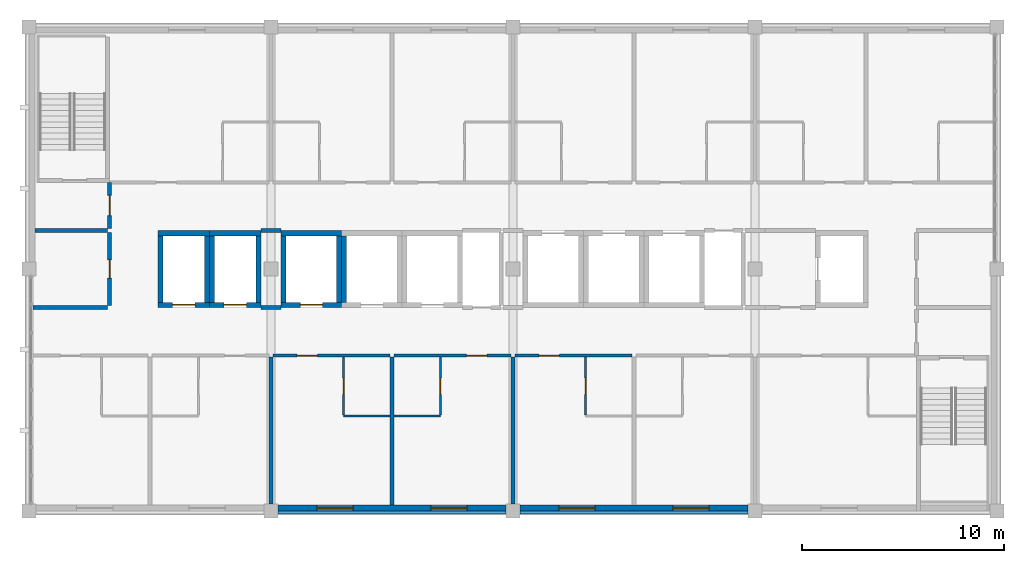
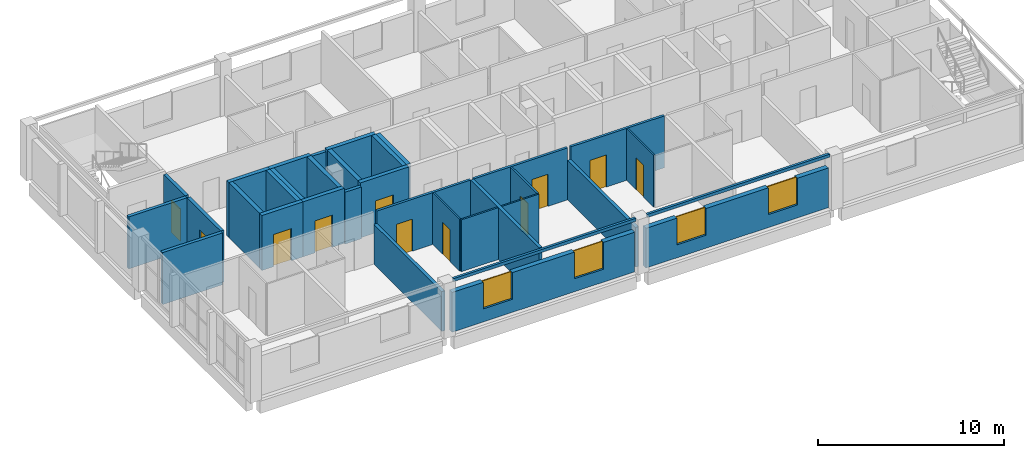
# One storey, part 6 of 11: 34 walls, 11 doors, 4 windows, 15 openings.
"""IFC4 building model written with IfcOpenShell, lengths in metres."""

from ifc_helpers import new_model, si_unit, direction, frame, frame_2d, origin, place, context, subcontext, project, spatial, rectangle, extrude, material, layer, layer_set, type_object, element, fill, save


model = new_model("IFC4")

# Units and contexts
model_context = context("Model", 3, precision=1e-05, world=origin(), true_north=direction((0.0, 1.0)))
body_context = subcontext(model_context, "Body", "Model", "MODEL_VIEW")
ifc_project = project(units=[si_unit("LENGTHUNIT", "METRE"), si_unit("AREAUNIT", "SQUARE_METRE"), si_unit("VOLUMEUNIT", "CUBIC_METRE"), si_unit("PLANEANGLEUNIT", "RADIAN"), si_unit("MASSUNIT", "GRAM", prefix="KILO")], contexts=[model_context])

# Site, building, storey
site_placement = place(None, origin())
site = spatial("IfcSite", under=ifc_project, at=site_placement, CompositionType="ELEMENT")
building_placement = place(site_placement, origin())
building = spatial("IfcBuilding", under=site, at=building_placement, Name="Lilac Gate Convention Centre", CompositionType="ELEMENT")
storey_placement = place(building_placement, frame((0.0, 0.0, 64.199951171875)))
storey = spatial("IfcBuildingStorey", under=building, at=storey_placement, Name="L16", CompositionType="ELEMENT", Elevation=64.199951171875)

# Wall, opening, door
ifc_material_1 = material(Name="Concrete C40", Category="concrete")
ifc_layer_1 = layer(ifc_material_1, 0.25)
ifc_layer_set_1 = layer_set([ifc_layer_1], Name="Concrete C40")
wall_type_1 = type_object("IfcWallType", Name="Core wall 250 C40", PredefinedType="SHEAR", material=ifc_layer_set_1)
wall_1_placement = place(storey_placement, frame((54.5, 232.22509765625, 0.0), z_axis=(0.0, 0.0, 1.0), x_axis=(1.0, 0.0, 0.0)))
wall_1 = element("IfcWall", 1, at=wall_1_placement, inside=storey, type_object=wall_type_1, Name="CRW5 core wall TC L16 1", PredefinedType="SHEAR", context=body_context, shape_type="SweptSolid", body=[
    extrude(rectangle(XDim=3.0, YDim=0.25, at=frame_2d((1.5, 0.0))), origin(), (0.0, 0.0, 1.0), 3.60009765625),
])
opening_1_placement = place(wall_1_placement, frame((0.949951171875, 0.0, 0.0)))
opening_1 = element("IfcOpeningElement", 2, at=opening_1_placement, cuts=wall_1, Name="Opening T15-036", PredefinedType="OPENING", context=body_context, shape_type="SweptSolid", body=[
    extrude(rectangle(XDim=1.10009765625, YDim=2.10009765625, at=frame_2d((0.550048828125, 1.050048828125))), frame((0.0, 0.135009765625, 0.0), z_axis=(0.0, -1.0, 0.0), x_axis=(1.0, 0.0, 0.0)), (0.0, 0.0, 1.0), 0.27001953125),
])
ifc_material_2 = material(Name="Stainless steel 304", Category="steel")
door_type_1 = type_object("IfcDoorType", Name="Lift landing door 1100", OperationType="SLIDING_TO_LEFT", PredefinedType="DOOR", material=ifc_material_2)
door_1_placement = place(opening_1_placement, origin())
door_1 = element("IfcDoor", 3, at=door_1_placement, inside=storey, type_object=door_type_1, Name="Lift landing door TP1 L16", OperationType="SLIDING_TO_LEFT", OverallHeight=2.10009765625, OverallWidth=1.10009765625, PredefinedType="DOOR", context=body_context, shape_type="SweptSolid", body=[
    extrude(rectangle(XDim=1.10009765625, YDim=2.10009765625, at=frame_2d((0.550048828125, 1.050048828125))), frame((0.0, 0.02490234375, 0.0), z_axis=(0.0, -1.0, 0.0), x_axis=(1.0, 0.0, 0.0)), (0.0, 0.0, 1.0), 0.050048828125),
])
fill(opening_1, door_1)

# Walls
wall_2_placement = place(storey_placement, frame((54.5, 235.77490234375, 0.0), z_axis=(0.0, 0.0, 1.0), x_axis=(1.0, 0.0, 0.0)))
element("IfcWall", 4, at=wall_2_placement, inside=storey, type_object=wall_type_1, Name="CRW5 core wall TC L16 2", PredefinedType="SHEAR", context=body_context, shape_type="SweptSolid", body=[
    extrude(rectangle(XDim=3.0, YDim=0.25, at=frame_2d((1.5, 0.0))), origin(), (0.0, 0.0, 1.0), 3.60009765625),
])
for number, where, z_axis, x_axis, name in (
    (5, (54.625, 232.35009765625, 0.0), (0.0, 0.0, 1.0), (0.0, 1.0, 0.0), "CRW5 core wall TC L16 3"),
    (6, (57.375, 232.35009765625, 0.0), (0.0, 0.0, 1.0), (0.0, 1.0, 0.0), "CRW5 core wall TC L16 4"),
    (7, (57.625, 232.35009765625, 0.0), (0.0, 0.0, 1.0), (0.0, 1.0, 0.0), "CRW5 core wall TC L16 7"),
):
    element("IfcWall", number, at=place(storey_placement, frame(where, z_axis=z_axis, x_axis=x_axis)), inside=storey, type_object=wall_type_1, Name=name, PredefinedType="SHEAR", context=body_context, shape_type="SweptSolid", body=[
        extrude(rectangle(XDim=3.2998046875, YDim=0.25, at=frame_2d((1.64990234375, 0.0))), origin(), (0.0, 0.0, 1.0), 3.60009765625),
    ])

# Wall, opening, door
wall_3_placement = place(storey_placement, frame((48.39990234375, 232.22509765625, 0.0), z_axis=(0.0, 0.0, 1.0), x_axis=(1.0, 0.0, 0.0)))
wall_3 = element("IfcWall", 8, at=wall_3_placement, inside=storey, type_object=wall_type_1, Name="CRW5 core wall TC L16 25", PredefinedType="SHEAR", context=body_context, shape_type="SweptSolid", body=[
    extrude(rectangle(XDim=2.550048828125, YDim=0.25, at=frame_2d((1.27490234375, 0.0))), origin(), (0.0, 0.0, 1.0), 3.60009765625),
])
opening_2_placement = place(wall_3_placement, frame((0.72509765625, 0.0, 0.0)))
opening_2 = element("IfcOpeningElement", 9, at=opening_2_placement, cuts=wall_3, Name="Opening T15-042", PredefinedType="OPENING", context=body_context, shape_type="SweptSolid", body=[
    extrude(rectangle(XDim=1.10009765625, YDim=2.10009765625, at=frame_2d((0.550048828125, 1.050048828125))), frame((0.0, 0.135009765625, 0.0), z_axis=(0.0, -1.0, 0.0), x_axis=(1.0, 0.0, 0.0)), (0.0, 0.0, 1.0), 0.27001953125),
])
door_2_placement = place(opening_2_placement, origin())
door_2 = element("IfcDoor", 10, at=door_2_placement, inside=storey, type_object=door_type_1, Name="Lift landing door TS1 L16", OperationType="SLIDING_TO_LEFT", OverallHeight=2.10009765625, OverallWidth=1.10009765625, PredefinedType="DOOR", context=body_context, shape_type="SweptSolid", body=[
    extrude(rectangle(XDim=1.10009765625, YDim=2.10009765625, at=frame_2d((0.550048828125, 1.050048828125))), frame((0.0, 0.02490234375, 0.0), z_axis=(0.0, -1.0, 0.0), x_axis=(1.0, 0.0, 0.0)), (0.0, 0.0, 1.0), 0.050048828125),
])
fill(opening_2, door_2)

# Walls
wall_4_placement = place(storey_placement, frame((48.39990234375, 235.77490234375, 0.0), z_axis=(0.0, 0.0, 1.0), x_axis=(1.0, 0.0, 0.0)))
element("IfcWall", 11, at=wall_4_placement, inside=storey, type_object=wall_type_1, Name="CRW5 core wall TC L16 26", PredefinedType="SHEAR", context=body_context, shape_type="SweptSolid", body=[
    extrude(rectangle(XDim=2.550048828125, YDim=0.25, at=frame_2d((1.27490234375, 0.0))), origin(), (0.0, 0.0, 1.0), 3.60009765625),
])
for number, where, z_axis, x_axis, name in (
    (12, (48.52490234375, 232.35009765625, 0.0), (0.0, 0.0, 1.0), (0.0, 1.0, 0.0), "CRW5 core wall TC L16 27"),
    (13, (50.824951171875, 232.35009765625, 0.0), (0.0, 0.0, 1.0), (0.0, 1.0, 0.0), "CRW5 core wall TC L16 28"),
):
    element("IfcWall", number, at=place(storey_placement, frame(where, z_axis=z_axis, x_axis=x_axis)), inside=storey, type_object=wall_type_1, Name=name, PredefinedType="SHEAR", context=body_context, shape_type="SweptSolid", body=[
        extrude(rectangle(XDim=3.2998046875, YDim=0.25, at=frame_2d((1.64990234375, 0.0))), origin(), (0.0, 0.0, 1.0), 3.60009765625),
    ])

# Wall, opening, door
wall_5_placement = place(storey_placement, frame((50.949951171875, 232.22509765625, 0.0), z_axis=(0.0, 0.0, 1.0), x_axis=(1.0, 0.0, 0.0)))
wall_5 = element("IfcWall", 14, at=wall_5_placement, inside=storey, type_object=wall_type_1, Name="CRW5 core wall TC L16 29", PredefinedType="SHEAR", context=body_context, shape_type="SweptSolid", body=[
    extrude(rectangle(XDim=2.550048828125, YDim=0.25, at=frame_2d((1.27490234375, 0.0))), origin(), (0.0, 0.0, 1.0), 3.60009765625),
])
opening_3_placement = place(wall_5_placement, frame((0.72509765625, 0.0, 0.0)))
opening_3 = element("IfcOpeningElement", 15, at=opening_3_placement, cuts=wall_5, Name="Opening T15-043", PredefinedType="OPENING", context=body_context, shape_type="SweptSolid", body=[
    extrude(rectangle(XDim=1.10009765625, YDim=2.10009765625, at=frame_2d((0.550048828125, 1.050048828125))), frame((0.0, 0.135009765625, 0.0), z_axis=(0.0, -1.0, 0.0), x_axis=(1.0, 0.0, 0.0)), (0.0, 0.0, 1.0), 0.27001953125),
])
door_3_placement = place(opening_3_placement, origin())
door_3 = element("IfcDoor", 16, at=door_3_placement, inside=storey, type_object=door_type_1, Name="Lift landing door TS2 L16", OperationType="SLIDING_TO_LEFT", OverallHeight=2.10009765625, OverallWidth=1.10009765625, PredefinedType="DOOR", context=body_context, shape_type="SweptSolid", body=[
    extrude(rectangle(XDim=1.10009765625, YDim=2.10009765625, at=frame_2d((0.550048828125, 1.050048828125))), frame((0.0, 0.02490234375, 0.0), z_axis=(0.0, -1.0, 0.0), x_axis=(1.0, 0.0, 0.0)), (0.0, 0.0, 1.0), 0.050048828125),
])
fill(opening_3, door_3)

# Walls
wall_6_placement = place(storey_placement, frame((50.949951171875, 235.77490234375, 0.0), z_axis=(0.0, 0.0, 1.0), x_axis=(1.0, 0.0, 0.0)))
element("IfcWall", 17, at=wall_6_placement, inside=storey, type_object=wall_type_1, Name="CRW5 core wall TC L16 30", PredefinedType="SHEAR", context=body_context, shape_type="SweptSolid", body=[
    extrude(rectangle(XDim=2.550048828125, YDim=0.25, at=frame_2d((1.27490234375, 0.0))), origin(), (0.0, 0.0, 1.0), 3.60009765625),
])
for number, where, z_axis, x_axis, name in (
    (18, (51.074951171875, 232.35009765625, 0.0), (0.0, 0.0, 1.0), (0.0, 1.0, 0.0), "CRW5 core wall TC L16 31"),
    (19, (53.375, 232.35009765625, 0.0), (0.0, 0.0, 1.0), (0.0, 1.0, 0.0), "CRW5 core wall TC L16 32"),
):
    element("IfcWall", number, at=place(storey_placement, frame(where, z_axis=z_axis, x_axis=x_axis)), inside=storey, type_object=wall_type_1, Name=name, PredefinedType="SHEAR", context=body_context, shape_type="SweptSolid", body=[
        extrude(rectangle(XDim=3.2998046875, YDim=0.25, at=frame_2d((1.64990234375, 0.0))), origin(), (0.0, 0.0, 1.0), 3.60009765625),
    ])

# Wall, opening, door
ifc_material_3 = material(Name="Gypsum board on steel stud", Category="steel")
ifc_layer_2 = layer(ifc_material_3, 0.14990234375)
ifc_layer_set_2 = layer_set([ifc_layer_2], Name="Gypsum board on steel stud")
wall_type_2 = type_object("IfcWallType", Name="Corridor wall 150", PredefinedType="PARTITIONING", material=ifc_layer_set_2)
wall_7_placement = place(storey_placement, frame((59.89990234375, 229.699951171875, 0.0), z_axis=(0.0, 0.0, 1.0), x_axis=(-1.0, 0.0, 0.0)))
wall_7 = element("IfcWall", 20, at=wall_7_placement, inside=storey, type_object=wall_type_2, Name="Corridor wall 150 front 1603", PredefinedType="PARTITIONING", context=body_context, shape_type="SweptSolid", body=[
    extrude(rectangle(XDim=5.7998046875, YDim=0.14990234375, at=frame_2d((2.89990234375, 0.0))), origin(), (0.0, 0.0, 1.0), 3.400146484375),
])
opening_4_placement = place(wall_7_placement, frame((3.60009765625, 0.0, 0.0)))
opening_4 = element("IfcOpeningElement", 21, at=opening_4_placement, cuts=wall_7, Name="Opening T15-012", PredefinedType="OPENING", context=body_context, shape_type="SweptSolid", body=[
    extrude(rectangle(XDim=1.0, YDim=2.10009765625, at=frame_2d((0.5, 1.050048828125))), frame((0.0, 0.0849609375, 0.0), z_axis=(0.0, -1.0, 0.0), x_axis=(1.0, 0.0, 0.0)), (0.0, 0.0, 1.0), 0.169921875),
])
ifc_material_4 = material(Name="Timber", Category="wood")
door_type_2 = type_object("IfcDoorType", Name="Guest room entrance door 1000", OperationType="SINGLE_SWING_LEFT", PredefinedType="DOOR", material=ifc_material_4)
door_4_placement = place(opening_4_placement, origin())
door_4 = element("IfcDoor", 22, at=door_4_placement, inside=storey, type_object=door_type_2, Name="Guest room door 1603", OperationType="SINGLE_SWING_RIGHT", OverallHeight=2.10009765625, OverallWidth=1.0, PredefinedType="DOOR", context=body_context, shape_type="SweptSolid", body=[
    extrude(rectangle(XDim=1.0, YDim=2.10009765625, at=frame_2d((0.5, 1.050048828125))), frame((0.0, 0.02490234375, 0.0), z_axis=(0.0, -1.0, 0.0), x_axis=(1.0, 0.0, 0.0)), (0.0, 0.0, 1.0), 0.050048828125),
])
fill(opening_4, door_4)

wall_8_placement = place(storey_placement, frame((65.89990234375, 229.699951171875, 0.0), z_axis=(0.0, 0.0, 1.0), x_axis=(-1.0, 0.0, 0.0)))
wall_8 = element("IfcWall", 23, at=wall_8_placement, inside=storey, type_object=wall_type_2, Name="Corridor wall 150 front 1604", PredefinedType="PARTITIONING", context=body_context, shape_type="SweptSolid", body=[
    extrude(rectangle(XDim=5.7998046875, YDim=0.14990234375, at=frame_2d((2.89990234375, 0.0))), origin(), (0.0, 0.0, 1.0), 3.400146484375),
])
opening_5_placement = place(wall_8_placement, frame((1.199951171875, 0.0, 0.0)))
opening_5 = element("IfcOpeningElement", 24, at=opening_5_placement, cuts=wall_8, Name="Opening T15-014", PredefinedType="OPENING", context=body_context, shape_type="SweptSolid", body=[
    extrude(rectangle(XDim=1.0, YDim=2.10009765625, at=frame_2d((0.5, 1.050048828125))), frame((0.0, 0.0849609375, 0.0), z_axis=(0.0, -1.0, 0.0), x_axis=(1.0, 0.0, 0.0)), (0.0, 0.0, 1.0), 0.169921875),
])
door_5_placement = place(opening_5_placement, origin())
door_5 = element("IfcDoor", 25, at=door_5_placement, inside=storey, type_object=door_type_2, Name="Guest room door 1604", OperationType="SINGLE_SWING_LEFT", OverallHeight=2.10009765625, OverallWidth=1.0, PredefinedType="DOOR", context=body_context, shape_type="SweptSolid", body=[
    extrude(rectangle(XDim=1.0, YDim=2.10009765625, at=frame_2d((0.5, 1.050048828125))), frame((0.0, 0.02490234375, 0.0), z_axis=(0.0, -1.0, 0.0), x_axis=(1.0, 0.0, 0.0)), (0.0, 0.0, 1.0), 0.050048828125),
])
fill(opening_5, door_5)

wall_9_placement = place(storey_placement, frame((71.89990234375, 229.699951171875, 0.0), z_axis=(0.0, 0.0, 1.0), x_axis=(-1.0, 0.0, 0.0)))
wall_9 = element("IfcWall", 26, at=wall_9_placement, inside=storey, type_object=wall_type_2, Name="Corridor wall 150 front 1605", PredefinedType="PARTITIONING", context=body_context, shape_type="SweptSolid", body=[
    extrude(rectangle(XDim=5.7998046875, YDim=0.14990234375, at=frame_2d((2.89990234375, 0.0))), origin(), (0.0, 0.0, 1.0), 3.400146484375),
])
opening_6_placement = place(wall_9_placement, frame((3.60009765625, 0.0, 0.0)))
opening_6 = element("IfcOpeningElement", 27, at=opening_6_placement, cuts=wall_9, Name="Opening T15-016", PredefinedType="OPENING", context=body_context, shape_type="SweptSolid", body=[
    extrude(rectangle(XDim=1.0, YDim=2.10009765625, at=frame_2d((0.5, 1.050048828125))), frame((0.0, 0.0849609375, 0.0), z_axis=(0.0, -1.0, 0.0), x_axis=(1.0, 0.0, 0.0)), (0.0, 0.0, 1.0), 0.169921875),
])
door_6_placement = place(opening_6_placement, origin())
door_6 = element("IfcDoor", 28, at=door_6_placement, inside=storey, type_object=door_type_2, Name="Guest room door 1605", OperationType="SINGLE_SWING_LEFT", OverallHeight=2.10009765625, OverallWidth=1.0, PredefinedType="DOOR", context=body_context, shape_type="SweptSolid", body=[
    extrude(rectangle(XDim=1.0, YDim=2.10009765625, at=frame_2d((0.5, 1.050048828125))), frame((0.0, 0.02490234375, 0.0), z_axis=(0.0, -1.0, 0.0), x_axis=(1.0, 0.0, 0.0)), (0.0, 0.0, 1.0), 0.050048828125),
])
fill(opening_6, door_6)

# Wall
ifc_layer_3 = layer(ifc_material_3, 0.10009765625)
ifc_layer_set_3 = layer_set([ifc_layer_3], Name="Gypsum board on steel stud")
wall_type_3 = type_object("IfcWallType", Name="En-suite wall 100", PredefinedType="PARTITIONING", material=ifc_layer_set_3)
wall_10_placement = place(storey_placement, frame((57.60009765625, 226.699951171875, 0.0), z_axis=(0.0, 0.0, 1.0), x_axis=(1.0, 0.0, 0.0)))
element("IfcWall", 29, at=wall_10_placement, inside=storey, type_object=wall_type_3, Name="En-suite wall 100 bath 1603", PredefinedType="PARTITIONING", context=body_context, shape_type="SweptSolid", body=[
    extrude(rectangle(XDim=2.2998046875, YDim=0.10009765625, at=frame_2d((1.14990234375, 0.0))), origin(), (0.0, 0.0, 1.0), 3.400146484375),
])

# Wall, opening, door
wall_11_placement = place(storey_placement, frame((57.60009765625, 226.75, 0.0), z_axis=(0.0, 0.0, 1.0), x_axis=(0.0, 1.0, 0.0)))
wall_11 = element("IfcWall", 30, at=wall_11_placement, inside=storey, type_object=wall_type_3, Name="En-suite wall 100 bath side 1603", PredefinedType="PARTITIONING", context=body_context, shape_type="SweptSolid", body=[
    extrude(rectangle(XDim=2.875, YDim=0.10009765625, at=frame_2d((1.4375, 0.0))), origin(), (0.0, 0.0, 1.0), 3.400146484375),
])
opening_7_placement = place(wall_11_placement, frame((1.03759765625, 0.0, 0.0)))
opening_7 = element("IfcOpeningElement", 31, at=opening_7_placement, cuts=wall_11, Name="Opening T15-013", PredefinedType="OPENING", context=body_context, shape_type="SweptSolid", body=[
    extrude(rectangle(XDim=0.800048828125, YDim=2.10009765625, at=frame_2d((0.39990234375, 1.050048828125))), frame((0.0, 0.06005859375, 0.0), z_axis=(0.0, -1.0, 0.0), x_axis=(1.0, 0.0, 0.0)), (0.0, 0.0, 1.0), 0.1201171875),
])
door_type_3 = type_object("IfcDoorType", Name="En-suite door 800", OperationType="SINGLE_SWING_LEFT", PredefinedType="DOOR", material=ifc_material_4)
door_7_placement = place(opening_7_placement, origin())
door_7 = element("IfcDoor", 32, at=door_7_placement, inside=storey, type_object=door_type_3, Name="En-suite door 1603", OperationType="SINGLE_SWING_RIGHT", OverallHeight=2.10009765625, OverallWidth=0.800048828125, PredefinedType="DOOR", context=body_context, shape_type="SweptSolid", body=[
    extrude(rectangle(XDim=0.800048828125, YDim=2.10009765625, at=frame_2d((0.39990234375, 1.050048828125))), frame((0.0, 0.02490234375, 0.0), z_axis=(0.0, -1.0, 0.0), x_axis=(1.0, 0.0, 0.0)), (0.0, 0.0, 1.0), 0.050048828125),
])
fill(opening_7, door_7)

# Wall
wall_12_placement = place(storey_placement, frame((60.10009765625, 226.699951171875, 0.0), z_axis=(0.0, 0.0, 1.0), x_axis=(1.0, 0.0, 0.0)))
element("IfcWall", 33, at=wall_12_placement, inside=storey, type_object=wall_type_3, Name="En-suite wall 100 bath 1604", PredefinedType="PARTITIONING", context=body_context, shape_type="SweptSolid", body=[
    extrude(rectangle(XDim=2.2998046875, YDim=0.10009765625, at=frame_2d((1.14990234375, 0.0))), origin(), (0.0, 0.0, 1.0), 3.400146484375),
])

# Wall, opening, door
wall_13_placement = place(storey_placement, frame((62.39990234375, 229.625, 0.0), z_axis=(0.0, 0.0, 1.0), x_axis=(0.0, -1.0, 0.0)))
wall_13 = element("IfcWall", 34, at=wall_13_placement, inside=storey, type_object=wall_type_3, Name="En-suite wall 100 bath side 1604", PredefinedType="PARTITIONING", context=body_context, shape_type="SweptSolid", body=[
    extrude(rectangle(XDim=2.875, YDim=0.10009765625, at=frame_2d((1.4375, 0.0))), origin(), (0.0, 0.0, 1.0), 3.400146484375),
])
opening_8_placement = place(wall_13_placement, frame((1.03759765625, 0.0, 0.0)))
opening_8 = element("IfcOpeningElement", 35, at=opening_8_placement, cuts=wall_13, Name="Opening T15-015", PredefinedType="OPENING", context=body_context, shape_type="SweptSolid", body=[
    extrude(rectangle(XDim=0.800048828125, YDim=2.10009765625, at=frame_2d((0.39990234375, 1.050048828125))), frame((0.0, 0.06005859375, 0.0), z_axis=(0.0, -1.0, 0.0), x_axis=(1.0, 0.0, 0.0)), (0.0, 0.0, 1.0), 0.1201171875),
])
door_8_placement = place(opening_8_placement, origin())
door_8 = element("IfcDoor", 36, at=door_8_placement, inside=storey, type_object=door_type_3, Name="En-suite door 1604", OperationType="SINGLE_SWING_LEFT", OverallHeight=2.10009765625, OverallWidth=0.800048828125, PredefinedType="DOOR", context=body_context, shape_type="SweptSolid", body=[
    extrude(rectangle(XDim=0.800048828125, YDim=2.10009765625, at=frame_2d((0.39990234375, 1.050048828125))), frame((0.0, 0.02490234375, 0.0), z_axis=(0.0, -1.0, 0.0), x_axis=(1.0, 0.0, 0.0)), (0.0, 0.0, 1.0), 0.050048828125),
])
fill(opening_8, door_8)

wall_14_placement = place(storey_placement, frame((69.60009765625, 226.75, 0.0), z_axis=(0.0, 0.0, 1.0), x_axis=(0.0, 1.0, 0.0)))
wall_14 = element("IfcWall", 37, at=wall_14_placement, inside=storey, type_object=wall_type_3, Name="En-suite wall 100 bath side 1605", PredefinedType="PARTITIONING", context=body_context, shape_type="SweptSolid", body=[
    extrude(rectangle(XDim=2.875, YDim=0.10009765625, at=frame_2d((1.4375, 0.0))), origin(), (0.0, 0.0, 1.0), 3.400146484375),
])
opening_9_placement = place(wall_14_placement, frame((1.03759765625, 0.0, 0.0)))
opening_9 = element("IfcOpeningElement", 38, at=opening_9_placement, cuts=wall_14, Name="Opening T15-017", PredefinedType="OPENING", context=body_context, shape_type="SweptSolid", body=[
    extrude(rectangle(XDim=0.800048828125, YDim=2.10009765625, at=frame_2d((0.39990234375, 1.050048828125))), frame((0.0, 0.06005859375, 0.0), z_axis=(0.0, -1.0, 0.0), x_axis=(1.0, 0.0, 0.0)), (0.0, 0.0, 1.0), 0.1201171875),
])
door_9_placement = place(opening_9_placement, origin())
door_9 = element("IfcDoor", 39, at=door_9_placement, inside=storey, type_object=door_type_3, Name="En-suite door 1605", OperationType="SINGLE_SWING_RIGHT", OverallHeight=2.10009765625, OverallWidth=0.800048828125, PredefinedType="DOOR", context=body_context, shape_type="SweptSolid", body=[
    extrude(rectangle(XDim=0.800048828125, YDim=2.10009765625, at=frame_2d((0.39990234375, 1.050048828125))), frame((0.0, 0.02490234375, 0.0), z_axis=(0.0, -1.0, 0.0), x_axis=(1.0, 0.0, 0.0)), (0.0, 0.0, 1.0), 0.050048828125),
])
fill(opening_9, door_9)

# Walls
ifc_layer_4 = layer(ifc_material_3, 0.199951171875)
ifc_layer_set_4 = layer_set([ifc_layer_4], Name="Gypsum board on steel stud")
wall_type_4 = type_object("IfcWallType", Name="Guest room party wall 200", PredefinedType="PARTITIONING", material=ifc_layer_set_4)
wall_15_placement = place(storey_placement, frame((54.0, 222.35009765625, 0.0), z_axis=(0.0, 0.0, 1.0), x_axis=(0.0, 1.0, 0.0)))
element("IfcWall", 40, at=wall_15_placement, inside=storey, type_object=wall_type_4, Name="Guest room party wall 200 party 54.0", PredefinedType="PARTITIONING", context=body_context, shape_type="SweptSolid", body=[
    extrude(rectangle(XDim=7.27490234375, YDim=0.199951171875, at=frame_2d((3.637451171875, 0.0))), origin(), (0.0, 0.0, 1.0), 2.60009765625),
])
wall_16_placement = place(storey_placement, frame((60.0, 222.2998046875, 0.0), z_axis=(0.0, 0.0, 1.0), x_axis=(0.0, 1.0, 0.0)))
element("IfcWall", 41, at=wall_16_placement, inside=storey, type_object=wall_type_4, Name="Guest room party wall 200 party 60.0", PredefinedType="PARTITIONING", context=body_context, shape_type="SweptSolid", body=[
    extrude(rectangle(XDim=7.3251953125, YDim=0.199951171875, at=frame_2d((3.66259765625, 0.0))), origin(), (0.0, 0.0, 1.0), 3.400146484375),
])
wall_17_placement = place(storey_placement, frame((66.0, 222.35009765625, 0.0), z_axis=(0.0, 0.0, 1.0), x_axis=(0.0, 1.0, 0.0)))
element("IfcWall", 42, at=wall_17_placement, inside=storey, type_object=wall_type_4, Name="Guest room party wall 200 party 66.0", PredefinedType="PARTITIONING", context=body_context, shape_type="SweptSolid", body=[
    extrude(rectangle(XDim=7.27490234375, YDim=0.199951171875, at=frame_2d((3.637451171875, 0.0))), origin(), (0.0, 0.0, 1.0), 2.60009765625),
])

# Wall, opening, door
ifc_layer_5 = layer(ifc_material_3, 0.199951171875)
ifc_layer_set_5 = layer_set([ifc_layer_5], Name="Gypsum board on steel stud")
wall_type_5 = type_object("IfcWallType", Name="Lobby wall 200", PredefinedType="PARTITIONING", material=ifc_layer_set_5)
wall_18_placement = place(storey_placement, frame((46.0, 236.0, 0.0), z_axis=(0.0, 0.0, 1.0), x_axis=(0.0, 1.0, 0.0)))
wall_18 = element("IfcWall", 43, at=wall_18_placement, inside=storey, type_object=wall_type_5, Name="Lobby wall 200 STL-NW-E", PredefinedType="PARTITIONING", context=body_context, shape_type="SweptSolid", body=[
    extrude(rectangle(XDim=2.300048828125, YDim=0.199951171875, at=frame_2d((1.14990234375, 0.0))), origin(), (0.0, 0.0, 1.0), 3.400146484375),
])
opening_10_placement = place(wall_18_placement, frame((0.64990234375, 0.0, 0.0)))
opening_10 = element("IfcOpeningElement", 44, at=opening_10_placement, cuts=wall_18, Name="Opening T15-006", PredefinedType="OPENING", context=body_context, shape_type="SweptSolid", body=[
    extrude(rectangle(XDim=1.0, YDim=2.10009765625, at=frame_2d((0.5, 1.050048828125))), frame((0.0, 0.10986328125, 0.0), z_axis=(0.0, -1.0, 0.0), x_axis=(1.0, 0.0, 0.0)), (0.0, 0.0, 1.0), 0.219970703125),
])
ifc_material_5 = material(Name="Steel Q235B", Category="steel")
door_type_4 = type_object("IfcDoorType", Name="Lobby door 1000", OperationType="SINGLE_SWING_LEFT", PredefinedType="DOOR", material=ifc_material_5)
door_10_placement = place(opening_10_placement, origin())
door_10 = element("IfcDoor", 45, at=door_10_placement, inside=storey, type_object=door_type_4, Name="Stair lobby door NW", OperationType="SINGLE_SWING_LEFT", OverallHeight=2.10009765625, OverallWidth=1.0, PredefinedType="DOOR", context=body_context, shape_type="SweptSolid", body=[
    extrude(rectangle(XDim=1.0, YDim=2.10009765625, at=frame_2d((0.5, 1.050048828125))), frame((0.0, 0.02490234375, 0.0), z_axis=(0.0, -1.0, 0.0), x_axis=(1.0, 0.0, 0.0)), (0.0, 0.0, 1.0), 0.050048828125),
])
fill(opening_10, door_10)

# Walls
ifc_material_6 = material(Name="Concrete C40 precast", Category="concrete")
ifc_layer_6 = layer(ifc_material_6, 0.1298828125)
ifc_material_7 = material(Name="Terracotta glazed cladding", Category="masonry")
ifc_layer_7 = layer(ifc_material_7, 0.02001953125)
ifc_layer_set_6 = layer_set([ifc_layer_6, ifc_layer_7], Name="Concrete C40 precast, Terracotta glazed cladding")
wall_type_6 = type_object("IfcWallType", Name="Precast band terracotta 150", PredefinedType="STANDARD", material=ifc_layer_set_6)
for number, where, z_axis, x_axis, name in (
    (46, (54.35009765625, 221.925048828125, 3.400146484375), (0.0, 0.0, 1.0), (1.0, 0.0, 0.0), "Precast band S L16 2"),
    (47, (66.35009765625, 221.925048828125, 3.400146484375), (0.0, 0.0, 1.0), (1.0, 0.0, 0.0), "Precast band S L16 3"),
):
    element("IfcWall", number, at=place(storey_placement, frame(where, z_axis=z_axis, x_axis=x_axis)), inside=storey, type_object=wall_type_6, Name=name, PredefinedType="STANDARD", context=body_context, shape_type="SweptSolid", body=[
        extrude(rectangle(XDim=11.2998046875, YDim=0.14990234375, at=frame_2d((5.64990234375, 0.0))), origin(), (0.0, 0.0, 1.0), 0.199951171875),
    ])

# Wall, openings, windows
ifc_material_8 = material(Name="Ochre mineral render")
ifc_layer_8 = layer(ifc_material_8, 0.02001953125)
ifc_layer_9 = layer(ifc_material_6, 0.06005859375)
ifc_material_9 = material(Name="Ventilated air cavity")
ifc_layer_10 = layer(ifc_material_9, 0.030029296875)
ifc_material_10 = material(Name="Mineral wool insulation")
ifc_layer_11 = layer(ifc_material_10, 0.1201171875)
ifc_material_11 = material(Name="Steel stud Q345 and gypsum lining", Category="steel")
ifc_layer_12 = layer(ifc_material_11, 0.070068359375)
ifc_layer_set_7 = layer_set([ifc_layer_8, ifc_layer_9, ifc_layer_10, ifc_layer_11, ifc_layer_12], Name="Ochre mineral render, Concrete C40 precast, Ventilated air cavity, Mineral wool insulation, Steel stud Q345 and gypsum lining")
wall_type_7 = type_object("IfcWallType", Name="Precast panel wall ochre 300", PredefinedType="STANDARD", material=ifc_layer_set_7)
wall_19_placement = place(storey_placement, frame((54.35009765625, 222.14990234375, 0.0), z_axis=(0.0, 0.0, 1.0), x_axis=(1.0, 0.0, 0.0)))
wall_19 = element("IfcWall", 48, at=wall_19_placement, inside=storey, type_object=wall_type_7, Name="External wall S L16 2", PredefinedType="STANDARD", context=body_context, shape_type="SweptSolid", body=[
    extrude(rectangle(XDim=11.2998046875, YDim=0.300048828125, at=frame_2d((5.64990234375, 0.0))), origin(), (0.0, 0.0, 1.0), 2.60009765625),
])
opening_11_placement = place(wall_19_placement, frame((1.925048828125, 0.0, 0.85009765625)))
opening_11 = element("IfcOpeningElement", 49, at=opening_11_placement, cuts=wall_19, Name="Opening W1", PredefinedType="OPENING", context=body_context, shape_type="SweptSolid", body=[
    extrude(rectangle(XDim=1.800048828125, YDim=1.75, at=frame_2d((0.89990234375, 0.875))), frame((0.0, 0.159912109375, 0.0), z_axis=(0.0, -1.0, 0.0), x_axis=(1.0, 0.0, 0.0)), (0.0, 0.0, 1.0), 0.320068359375),
])
opening_12_placement = place(wall_19_placement, frame((7.574951171875, 0.0, 0.85009765625)))
opening_12 = element("IfcOpeningElement", 50, at=opening_12_placement, cuts=wall_19, Name="Opening W1", PredefinedType="OPENING", context=body_context, shape_type="SweptSolid", body=[
    extrude(rectangle(XDim=1.800048828125, YDim=1.75, at=frame_2d((0.89990234375, 0.875))), frame((0.0, 0.159912109375, 0.0), z_axis=(0.0, -1.0, 0.0), x_axis=(1.0, 0.0, 0.0)), (0.0, 0.0, 1.0), 0.320068359375),
])
ifc_material_12 = material(Name="Aluminium framed double glazing", Category="aluminium")
window_type = type_object("IfcWindowType", Name="Guest room window 1800 x 1750", PartitioningType="DOUBLE_PANEL_VERTICAL", PredefinedType="WINDOW", material=ifc_material_12)
window_1_placement = place(opening_11_placement, origin())
window_1 = element("IfcWindow", 51, at=window_1_placement, inside=storey, type_object=window_type, Name="Window Guest S L16", OverallHeight=1.75, OverallWidth=1.800048828125, PartitioningType="SINGLE_PANEL", PredefinedType="WINDOW", context=body_context, shape_type="SweptSolid", body=[
    extrude(rectangle(XDim=1.800048828125, YDim=1.75, at=frame_2d((0.89990234375, 0.875))), frame((0.0, 0.030029296875, 0.0), z_axis=(0.0, -1.0, 0.0), x_axis=(1.0, 0.0, 0.0)), (0.0, 0.0, 1.0), 0.06005859375),
])
fill(opening_11, window_1)
window_2_placement = place(opening_12_placement, origin())
window_2 = element("IfcWindow", 52, at=window_2_placement, inside=storey, type_object=window_type, Name="Window Guest S L16", OverallHeight=1.75, OverallWidth=1.800048828125, PartitioningType="SINGLE_PANEL", PredefinedType="WINDOW", context=body_context, shape_type="SweptSolid", body=[
    extrude(rectangle(XDim=1.800048828125, YDim=1.75, at=frame_2d((0.89990234375, 0.875))), frame((0.0, 0.030029296875, 0.0), z_axis=(0.0, -1.0, 0.0), x_axis=(1.0, 0.0, 0.0)), (0.0, 0.0, 1.0), 0.06005859375),
])
fill(opening_12, window_2)

wall_20_placement = place(storey_placement, frame((66.35009765625, 222.14990234375, 0.0), z_axis=(0.0, 0.0, 1.0), x_axis=(1.0, 0.0, 0.0)))
wall_20 = element("IfcWall", 53, at=wall_20_placement, inside=storey, type_object=wall_type_7, Name="External wall S L16 3", PredefinedType="STANDARD", context=body_context, shape_type="SweptSolid", body=[
    extrude(rectangle(XDim=11.2998046875, YDim=0.300048828125, at=frame_2d((5.64990234375, 0.0))), origin(), (0.0, 0.0, 1.0), 2.60009765625),
])
opening_13_placement = place(wall_20_placement, frame((1.925048828125, 0.0, 0.85009765625)))
opening_13 = element("IfcOpeningElement", 54, at=opening_13_placement, cuts=wall_20, Name="Opening W1", PredefinedType="OPENING", context=body_context, shape_type="SweptSolid", body=[
    extrude(rectangle(XDim=1.800048828125, YDim=1.75, at=frame_2d((0.89990234375, 0.875))), frame((0.0, 0.159912109375, 0.0), z_axis=(0.0, -1.0, 0.0), x_axis=(1.0, 0.0, 0.0)), (0.0, 0.0, 1.0), 0.320068359375),
])
opening_14_placement = place(wall_20_placement, frame((7.574951171875, 0.0, 0.85009765625)))
opening_14 = element("IfcOpeningElement", 55, at=opening_14_placement, cuts=wall_20, Name="Opening W1", PredefinedType="OPENING", context=body_context, shape_type="SweptSolid", body=[
    extrude(rectangle(XDim=1.800048828125, YDim=1.75, at=frame_2d((0.89990234375, 0.875))), frame((0.0, 0.159912109375, 0.0), z_axis=(0.0, -1.0, 0.0), x_axis=(1.0, 0.0, 0.0)), (0.0, 0.0, 1.0), 0.320068359375),
])
window_3_placement = place(opening_13_placement, origin())
window_3 = element("IfcWindow", 56, at=window_3_placement, inside=storey, type_object=window_type, Name="Window Guest S L16", OverallHeight=1.75, OverallWidth=1.800048828125, PartitioningType="SINGLE_PANEL", PredefinedType="WINDOW", context=body_context, shape_type="SweptSolid", body=[
    extrude(rectangle(XDim=1.800048828125, YDim=1.75, at=frame_2d((0.89990234375, 0.875))), frame((0.0, 0.030029296875, 0.0), z_axis=(0.0, -1.0, 0.0), x_axis=(1.0, 0.0, 0.0)), (0.0, 0.0, 1.0), 0.06005859375),
])
fill(opening_13, window_3)
window_4_placement = place(opening_14_placement, origin())
window_4 = element("IfcWindow", 57, at=window_4_placement, inside=storey, type_object=window_type, Name="Window Guest S L16", OverallHeight=1.75, OverallWidth=1.800048828125, PartitioningType="SINGLE_PANEL", PredefinedType="WINDOW", context=body_context, shape_type="SweptSolid", body=[
    extrude(rectangle(XDim=1.800048828125, YDim=1.75, at=frame_2d((0.89990234375, 0.875))), frame((0.0, 0.030029296875, 0.0), z_axis=(0.0, -1.0, 0.0), x_axis=(1.0, 0.0, 0.0)), (0.0, 0.0, 1.0), 0.06005859375),
])
fill(opening_14, window_4)

# Walls
ifc_layer_13 = layer(ifc_material_3, 0.199951171875)
ifc_layer_set_8 = layer_set([ifc_layer_13], Name="Gypsum board on steel stud")
wall_type_8 = type_object("IfcWallType", Name="Riser and store wall 200", PredefinedType="PARTITIONING", material=ifc_layer_set_8)
wall_21_placement = place(storey_placement, frame((42.2001953125, 232.10009765625, 0.0), z_axis=(0.0, 0.0, 1.0), x_axis=(1.0, 0.0, 0.0)))
element("IfcWall", 58, at=wall_21_placement, inside=storey, type_object=wall_type_8, Name="Riser and store wall 200 HKW-S", PredefinedType="PARTITIONING", context=body_context, shape_type="SweptSolid", body=[
    extrude(rectangle(XDim=3.69970703125, YDim=0.199951171875, at=frame_2d((1.849853515625, 0.0))), origin(), (0.0, 0.0, 1.0), 3.400146484375),
])
wall_22_placement = place(storey_placement, frame((53.5, 232.10009765625, 0.0), z_axis=(0.0, 0.0, 1.0), x_axis=(1.0, 0.0, 0.0)))
element("IfcWall", 59, at=wall_22_placement, inside=storey, type_object=wall_type_8, Name="Riser and store wall 200 NICHE1-S", PredefinedType="PARTITIONING", context=body_context, shape_type="SweptSolid", body=[
    extrude(rectangle(XDim=1.0, YDim=0.199951171875, at=frame_2d((0.5, 0.0))), origin(), (0.0, 0.0, 1.0), 3.400146484375),
])
wall_23_placement = place(storey_placement, frame((42.2998046875, 235.89990234375, 0.0), z_axis=(0.0, 0.0, 1.0), x_axis=(1.0, 0.0, 0.0)))
element("IfcWall", 60, at=wall_23_placement, inside=storey, type_object=wall_type_8, Name="Riser and store wall 200 HKW-N", PredefinedType="PARTITIONING", context=body_context, shape_type="SweptSolid", body=[
    extrude(rectangle(XDim=3.60009765625, YDim=0.199951171875, at=frame_2d((1.800048828125, 0.0))), origin(), (0.0, 0.0, 1.0), 3.400146484375),
])
wall_24_placement = place(storey_placement, frame((53.5, 235.89990234375, 0.0), z_axis=(0.0, 0.0, 1.0), x_axis=(1.0, 0.0, 0.0)))
element("IfcWall", 61, at=wall_24_placement, inside=storey, type_object=wall_type_8, Name="Riser and store wall 200 NICHE1-N", PredefinedType="PARTITIONING", context=body_context, shape_type="SweptSolid", body=[
    extrude(rectangle(XDim=1.0, YDim=0.199951171875, at=frame_2d((0.5, 0.0))), origin(), (0.0, 0.0, 1.0), 3.400146484375),
])

# Wall, opening, door
wall_25_placement = place(storey_placement, frame((46.0, 232.199951171875, 0.0), z_axis=(0.0, 0.0, 1.0), x_axis=(0.0, 1.0, 0.0)))
wall_25 = element("IfcWall", 62, at=wall_25_placement, inside=storey, type_object=wall_type_8, Name="Riser and store wall 200 HKW-E", PredefinedType="PARTITIONING", context=body_context, shape_type="SweptSolid", body=[
    extrude(rectangle(XDim=3.60009765625, YDim=0.199951171875, at=frame_2d((1.800048828125, 0.0))), origin(), (0.0, 0.0, 1.0), 3.400146484375),
])
opening_15_placement = place(wall_25_placement, frame((1.35009765625, 0.0, 0.0)))
opening_15 = element("IfcOpeningElement", 63, at=opening_15_placement, cuts=wall_25, Name="Opening T15-001", PredefinedType="OPENING", context=body_context, shape_type="SweptSolid", body=[
    extrude(rectangle(XDim=0.89990234375, YDim=2.10009765625, at=frame_2d((0.449951171875, 1.050048828125))), frame((0.0, 0.10986328125, 0.0), z_axis=(0.0, -1.0, 0.0), x_axis=(1.0, 0.0, 0.0)), (0.0, 0.0, 1.0), 0.219970703125),
])
door_type_5 = type_object("IfcDoorType", Name="Riser and store door 900", OperationType="SINGLE_SWING_LEFT", PredefinedType="DOOR", material=ifc_material_5)
door_11_placement = place(opening_15_placement, origin())
door_11 = element("IfcDoor", 64, at=door_11_placement, inside=storey, type_object=door_type_5, Name="Housekeeping door", OperationType="SINGLE_SWING_LEFT", OverallHeight=2.10009765625, OverallWidth=0.89990234375, PredefinedType="DOOR", context=body_context, shape_type="SweptSolid", body=[
    extrude(rectangle(XDim=0.89990234375, YDim=2.10009765625, at=frame_2d((0.449951171875, 1.050048828125))), frame((0.0, 0.02490234375, 0.0), z_axis=(0.0, -1.0, 0.0), x_axis=(1.0, 0.0, 0.0)), (0.0, 0.0, 1.0), 0.050048828125),
])
fill(opening_15, door_11)

save(model, "model.ifc")
